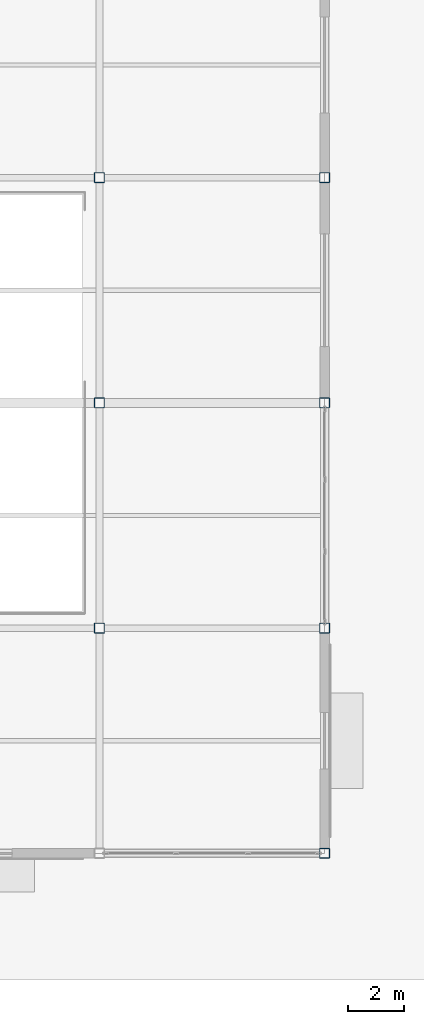
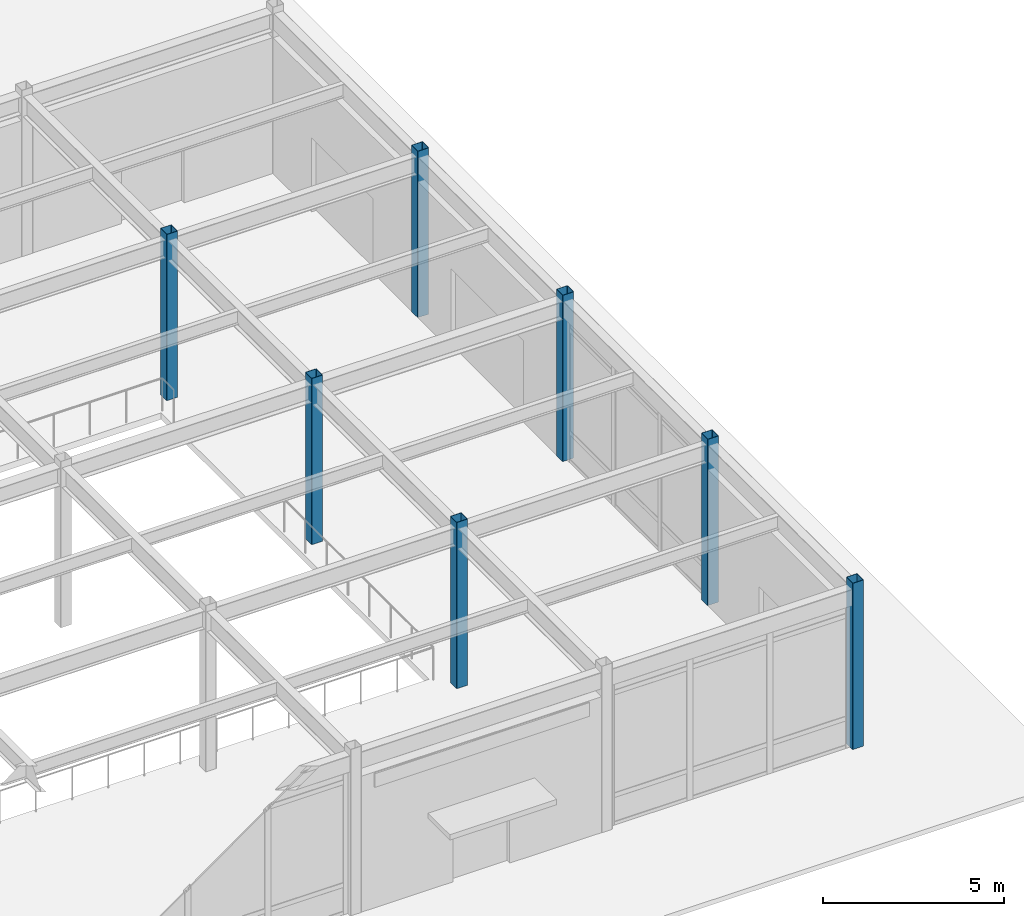
# One storey, part 24 of 128: 7 columns.
"""IFC4 building model written with IfcOpenShell, lengths in metres."""

from ifc_helpers import new_model, si_unit, direction, frame, origin, origin_2d, place, context, subcontext, project, spatial, hollow_rectangle, extrude, material, material_profile, profile_set, type_object, element, save


model = new_model("IFC4")

# Units and contexts
model_context = context("Model", 3, precision=1e-05, world=origin(), true_north=direction((0.0, 1.0)))
body_context = subcontext(model_context, "Body", "Model", "MODEL_VIEW")
ifc_project = project(units=[si_unit("LENGTHUNIT", "METRE"), si_unit("AREAUNIT", "SQUARE_METRE"), si_unit("VOLUMEUNIT", "CUBIC_METRE"), si_unit("PLANEANGLEUNIT", "RADIAN"), si_unit("MASSUNIT", "GRAM", prefix="KILO")], contexts=[model_context])

# Site, building, storey
site_placement = place(None, origin())
site = spatial("IfcSite", under=ifc_project, at=site_placement, CompositionType="ELEMENT")
building_placement = place(site_placement, origin())
building = spatial("IfcBuilding", under=site, at=building_placement, Name="Solmirada Galleria", CompositionType="ELEMENT")
storey_placement = place(building_placement, origin())
storey = spatial("IfcBuildingStorey", under=building, at=storey_placement, Name="L00", CompositionType="ELEMENT", Elevation=0.0)

# Columns
ifc_material = material(Name="Steel S355 / ASTM A500 Grade C", Category="steel")
ifc_material_profile = material_profile(ifc_material, hollow_rectangle(XDim=0.35595703125, YDim=0.35595703125, WallThickness=0.01171875, InnerFilletRadius=0.01171875, OuterFilletRadius=0.023681640625, at=origin_2d()), Name="HSS14X14X1/2")
ifc_profile_set = profile_set([ifc_material_profile], Name="Steel S355 / ASTM A500 Grade C")
column_type = type_object("IfcColumnType", Name="COL-HSS14", PredefinedType="COLUMN", material=ifc_profile_set)
for number, where, z_axis, x_axis, name in (
    (1, (168.0, 8.0, 0.0), (0.0, 0.0, 1.0), (1.0, 0.0, 0.0), "Structural column L00-1442"),
    (2, (168.0, 16.0, 0.0), (0.0, 0.0, 1.0), (1.0, 0.0, 0.0), "Structural column L00-1446"),
    (3, (168.0, 24.0, 0.0), (0.0, 0.0, 1.0), (1.0, 0.0, 0.0), "Structural column L00-1450"),
    (4, (176.0, 0.0, 0.0), (0.0, 0.0, 1.0), (1.0, 0.0, 0.0), "Structural column L00-1511"),
    (5, (176.0, 8.0, 0.0), (0.0, 0.0, 1.0), (1.0, 0.0, 0.0), "Structural column L00-1515"),
    (6, (176.0, 16.0, 0.0), (0.0, 0.0, 1.0), (1.0, 0.0, 0.0), "Structural column L00-1519"),
    (7, (176.0, 24.0, 0.0), (0.0, 0.0, 1.0), (1.0, 0.0, 0.0), "Structural column L00-1523"),
):
    element("IfcColumn", number, at=place(storey_placement, frame(where, z_axis=z_axis, x_axis=x_axis)), inside=storey, type_object=column_type, Name=name, PredefinedType="COLUMN", context=body_context, shape_type="SweptSolid", body=[
        extrude(hollow_rectangle(XDim=0.35595703125, YDim=0.35595703125, WallThickness=0.01171875, InnerFilletRadius=0.01171875, OuterFilletRadius=0.023681640625, at=origin_2d()), origin(), (0.0, 0.0, 1.0), 5.60009765625),
    ])

save(model, "model.ifc")
